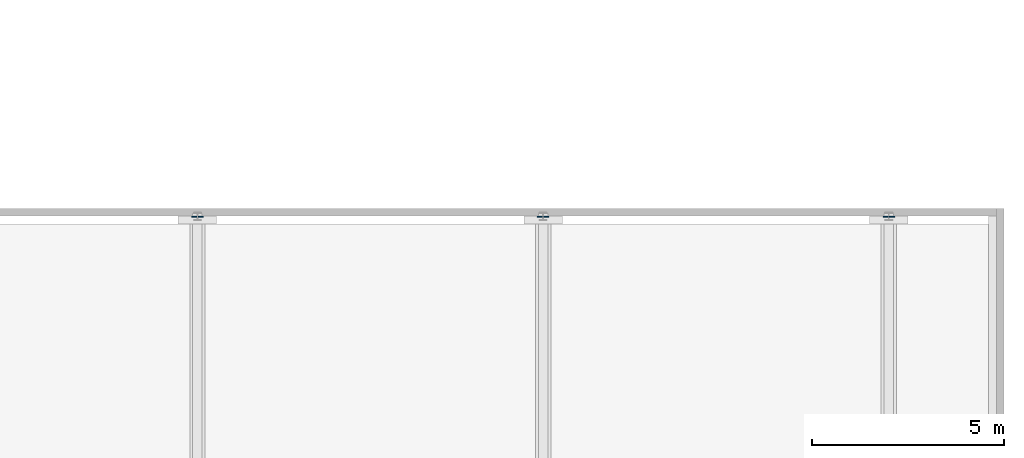
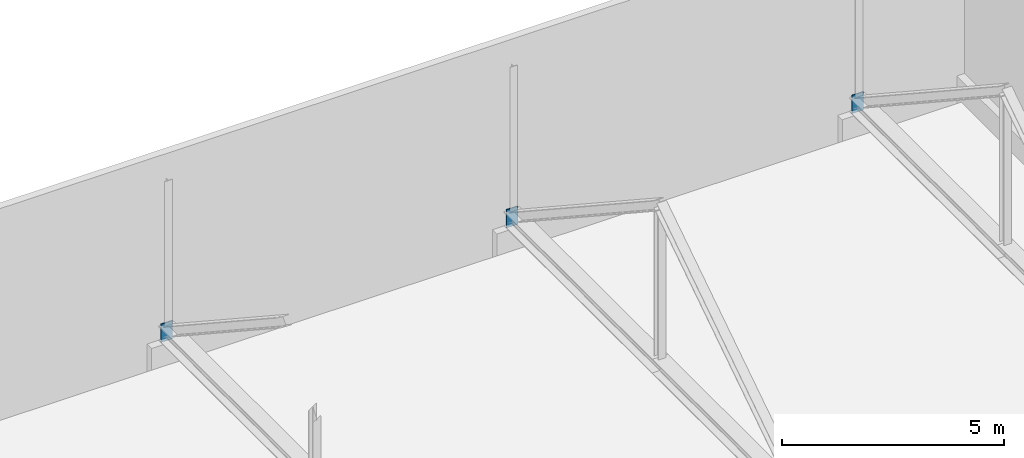
# One storey, part 42 of 49: 3 discrete accessories.
"""IFC4 building model written with IfcOpenShell, lengths in metres."""

from ifc_helpers import new_model, si_unit, direction, frame, origin, origin_2d, place, context, subcontext, project, spatial, rectangle, extrude, material, layer, layer_set, type_object, element, save


model = new_model("IFC4")

# Units and contexts
model_context = context("Model", 3, precision=1e-05, world=origin(), true_north=direction((0.0, 1.0)))
body_context = subcontext(model_context, "Body", "Model", "MODEL_VIEW")
ifc_project = project(units=[si_unit("LENGTHUNIT", "METRE"), si_unit("AREAUNIT", "SQUARE_METRE"), si_unit("VOLUMEUNIT", "CUBIC_METRE"), si_unit("PLANEANGLEUNIT", "RADIAN"), si_unit("MASSUNIT", "GRAM", prefix="KILO")], contexts=[model_context])

# Site, building, storey
site_placement = place(None, origin())
site = spatial("IfcSite", under=ifc_project, at=site_placement, CompositionType="ELEMENT")
building_placement = place(site_placement, origin())
building = spatial("IfcBuilding", under=site, at=building_placement, Name="Hunhe Ridgeline Campus", CompositionType="ELEMENT")
storey_placement = place(building_placement, frame((0.0, 0.0, 21.60009765625)))
storey = spatial("IfcBuildingStorey", under=building, at=storey_placement, Name="L04", CompositionType="ELEMENT", Elevation=21.60009765625)

# Discrete accessories
ifc_material = material(Name="Steel Q355", Category="steel")
ifc_layer = layer(ifc_material, 0.030029296875)
ifc_layer_set = layer_set([ifc_layer], Name="Cast-in plate 300x500x30 Steel Q355")
discrete_accessory_type = type_object("IfcDiscreteAccessoryType", Name="Cast-in plate 300x500x30 Steel Q355", PredefinedType="BRACKET", material=ifc_layer_set)
for number, where, z_axis, x_axis, name in (
    (1, (189.0, 76.284912109375, 0.539794921875), (0.0, 0.0, 1.0), (0.0, 1.0, 0.0), "Roof truss 5 cast-in plate n bottom"),
    (2, (198.0, 76.284912109375, 0.539794921875), (0.0, 0.0, 1.0), (0.0, 1.0, 0.0), "Roof truss 6 cast-in plate n bottom"),
    (3, (207.0, 76.284912109375, 0.539794921875), (0.0, 0.0, 1.0), (0.0, 1.0, 0.0), "Roof truss 7 cast-in plate n bottom"),
):
    element("IfcDiscreteAccessory", number, at=place(storey_placement, frame(where, z_axis=z_axis, x_axis=x_axis)), inside=storey, type_object=discrete_accessory_type, Name=name, PredefinedType="BRACKET", context=body_context, shape_type="SweptSolid", body=[
        extrude(rectangle(XDim=0.030029296875, YDim=0.300048828125, at=origin_2d()), origin(), (0.0, 0.0, 1.0), 0.5),
    ])

save(model, "model.ifc")
